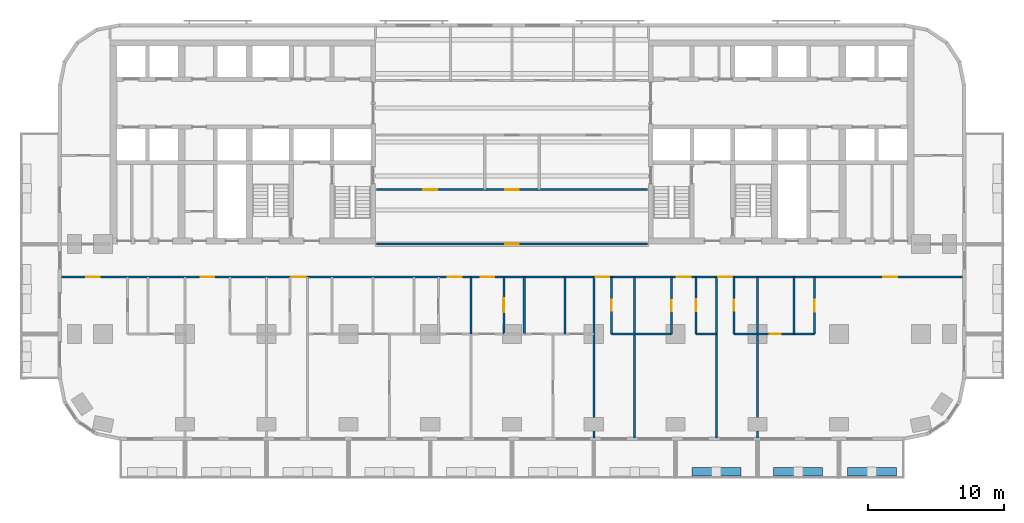
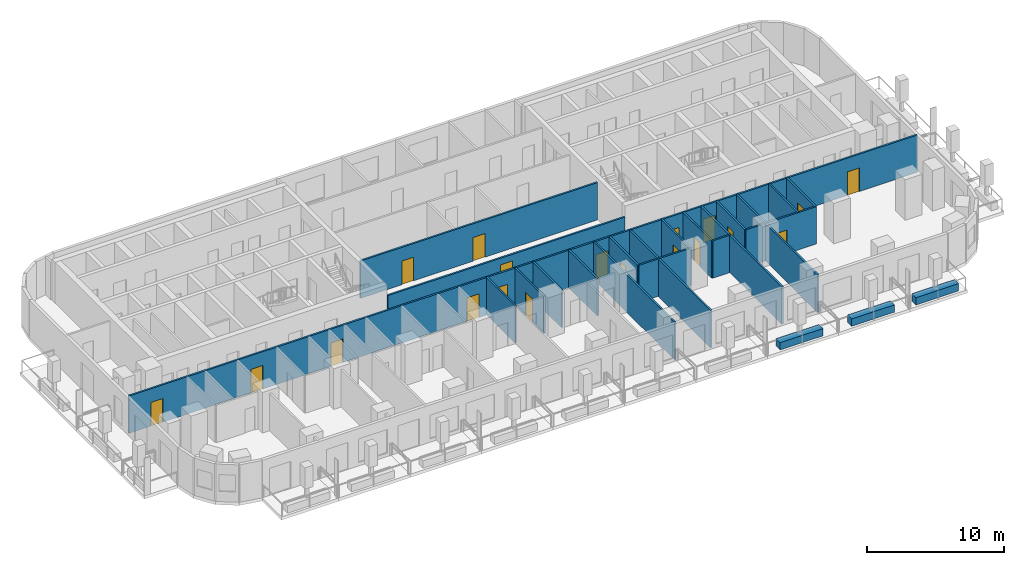
# One storey, part 6 of 14: 23 walls, 19 doors, 19 openings.
"""IFC4 building model written with IfcOpenShell, lengths in metres."""

from ifc_helpers import new_model, si_unit, direction, frame, frame_2d, origin, place, context, subcontext, project, spatial, rectangle, extrude, material, layer, layer_set, type_object, element, fill, save


model = new_model("IFC4")

# Units and contexts
model_context = context("Model", 3, precision=1e-05, world=origin(), true_north=direction((0.0, 1.0)))
body_context = subcontext(model_context, "Body", "Model", "MODEL_VIEW")
ifc_project = project(units=[si_unit("LENGTHUNIT", "METRE"), si_unit("AREAUNIT", "SQUARE_METRE"), si_unit("VOLUMEUNIT", "CUBIC_METRE"), si_unit("PLANEANGLEUNIT", "RADIAN"), si_unit("MASSUNIT", "GRAM", prefix="KILO")], contexts=[model_context])

# Site, building, storey
site_placement = place(None, origin())
site = spatial("IfcSite", under=ifc_project, at=site_placement, CompositionType="ELEMENT")
building_placement = place(site_placement, origin())
building = spatial("IfcBuilding", under=site, at=building_placement, Name="Torana Hotel and Residences", CompositionType="ELEMENT")
storey_placement = place(building_placement, frame((0.0, 0.0, 85.199951171875)))
storey = spatial("IfcBuildingStorey", under=building, at=storey_placement, Name="L21", CompositionType="ELEMENT", Elevation=85.199951171875)

# Wall, opening, door
ifc_material_1 = material(Name="Gypsum plaster")
ifc_layer_1 = layer(ifc_material_1, 0.014892578125, Name="Plaster", Category="finish")
ifc_material_2 = material(Name="Concrete blockwork", Category="masonry")
ifc_layer_2 = layer(ifc_material_2, 0.1201171875, Name="Blockwork", Category="structure")
ifc_layer_3 = layer(ifc_material_1, 0.014892578125, Name="Plaster", Category="finish")
ifc_layer_set_1 = layer_set([ifc_layer_1, ifc_layer_2, ifc_layer_3], Name="FIRE PARTITION 150 BLOCKWORK")
wall_type_1 = type_object("IfcWallType", Name="FIRE PARTITION 150 BLOCKWORK", PredefinedType="PARTITIONING", material=ifc_layer_set_1)
wall_1_placement = place(storey_placement, frame((-0.60009765625, -21.60009765625, 0.0), z_axis=(0.0, 0.0, 1.0), x_axis=(0.0, 1.0, 0.0)))
wall_1 = element("IfcWall", 1, at=wall_1_placement, inside=storey, type_object=wall_type_1, Name="Partition L21", PredefinedType="PARTITIONING", context=body_context, shape_type="SweptSolid", body=[
    extrude(rectangle(XDim=4.2001953125, YDim=0.14990234375, at=frame_2d((2.10009765625, 0.0))), origin(), (0.0, 0.0, 1.0), 3.320068359375),
])
opening_1_placement = place(wall_1_placement, frame((1.6201171875, 0.0, 0.0)))
opening_1 = element("IfcOpeningElement", 2, at=opening_1_placement, cuts=wall_1, Name="Opening L21-68", PredefinedType="OPENING", context=body_context, shape_type="SweptSolid", body=[
    extrude(rectangle(XDim=1.0, YDim=2.10009765625, at=frame_2d((0.5, 1.050048828125))), frame((0.0, 0.0849609375, 0.0), z_axis=(0.0, -1.0, 0.0), x_axis=(1.0, 0.0, 0.0)), (0.0, 0.0, 1.0), 0.169921875),
])
ifc_material_3 = material(Name="Steel S235", Category="steel")
door_type_1 = type_object("IfcDoorType", Name="ENTRY FIRE DOOR D6 1000x2100", OperationType="SINGLE_SWING_LEFT", PredefinedType="DOOR", material=ifc_material_3)
door_1_placement = place(opening_1_placement, frame((0.5, 0.0, 0.0), z_axis=(0.0, 0.0, 1.0), x_axis=(-1.0, 0.0, 0.0)))
door_1 = element("IfcDoor", 3, at=door_1_placement, inside=storey, type_object=door_type_1, Name="Door L21", OperationType="SINGLE_SWING_LEFT", OverallHeight=2.10009765625, OverallWidth=1.0, PredefinedType="DOOR", context=body_context, shape_type="SweptSolid", body=[
    extrude(rectangle(XDim=1.0, YDim=2.10009765625, at=frame_2d((0.0, 1.050048828125))), frame((0.0, -0.02490234375, 0.0), z_axis=(0.0, 1.0, 0.0), x_axis=(-1.0, 0.0, 0.0)), (0.0, 0.0, 1.0), 0.050048828125),
])
fill(opening_1, door_1)

# Wall
wall_2_placement = place(storey_placement, frame((-3.0, -21.60009765625, 0.0), z_axis=(0.0, 0.0, 1.0), x_axis=(0.0, 1.0, 0.0)))
element("IfcWall", 4, at=wall_2_placement, inside=storey, type_object=wall_type_1, Name="Partition L21", PredefinedType="PARTITIONING", context=body_context, shape_type="SweptSolid", body=[
    extrude(rectangle(XDim=4.2001953125, YDim=0.14990234375, at=frame_2d((2.10009765625, 0.0))), origin(), (0.0, 0.0, 1.0), 3.320068359375),
])

# Wall, openings, doors
wall_3_placement = place(storey_placement, frame((-33.1201171875, -17.39990234375, 0.0), z_axis=(0.0, 0.0, 1.0), x_axis=(1.0, 0.0, 0.0)))
wall_3 = element("IfcWall", 5, at=wall_3_placement, inside=storey, type_object=wall_type_1, Name="Partition L21", PredefinedType="PARTITIONING", context=body_context, shape_type="SweptSolid", body=[
    extrude(rectangle(XDim=66.240234375, YDim=0.14990234375, at=frame_2d((33.1201171875, 0.0))), origin(), (0.0, 0.0, 1.0), 3.320068359375),
])
opening_2_placement = place(wall_3_placement, frame((10.27001953125, 0.0, 0.0)))
opening_2 = element("IfcOpeningElement", 6, at=opening_2_placement, cuts=wall_3, Name="Opening L21-40", PredefinedType="OPENING", context=body_context, shape_type="SweptSolid", body=[
    extrude(rectangle(XDim=1.0, YDim=2.10009765625, at=frame_2d((0.5, 1.050048828125))), frame((0.0, 0.0849609375, 0.0), z_axis=(0.0, -1.0, 0.0), x_axis=(1.0, 0.0, 0.0)), (0.0, 0.0, 1.0), 0.169921875),
])
opening_3_placement = place(wall_3_placement, frame((16.969970703125, 0.0, 0.0)))
opening_3 = element("IfcOpeningElement", 7, at=opening_3_placement, cuts=wall_3, Name="Opening L21-41", PredefinedType="OPENING", context=body_context, shape_type="SweptSolid", body=[
    extrude(rectangle(XDim=1.0, YDim=2.10009765625, at=frame_2d((0.5, 1.050048828125))), frame((0.0, 0.0849609375, 0.0), z_axis=(0.0, -1.0, 0.0), x_axis=(1.0, 0.0, 0.0)), (0.0, 0.0, 1.0), 0.169921875),
])
opening_4_placement = place(wall_3_placement, frame((28.419921875, 0.0, 0.0)))
opening_4 = element("IfcOpeningElement", 8, at=opening_4_placement, cuts=wall_3, Name="Opening L21-42", PredefinedType="OPENING", context=body_context, shape_type="SweptSolid", body=[
    extrude(rectangle(XDim=1.0, YDim=2.10009765625, at=frame_2d((0.5, 1.050048828125))), frame((0.0, 0.0849609375, 0.0), z_axis=(0.0, -1.0, 0.0), x_axis=(1.0, 0.0, 0.0)), (0.0, 0.0, 1.0), 0.169921875),
])
opening_5_placement = place(wall_3_placement, frame((30.820068359375, 0.0, 0.0)))
opening_5 = element("IfcOpeningElement", 9, at=opening_5_placement, cuts=wall_3, Name="Opening L21-43", PredefinedType="OPENING", context=body_context, shape_type="SweptSolid", body=[
    extrude(rectangle(XDim=1.0, YDim=2.10009765625, at=frame_2d((0.5, 1.050048828125))), frame((0.0, 0.0849609375, 0.0), z_axis=(0.0, -1.0, 0.0), x_axis=(1.0, 0.0, 0.0)), (0.0, 0.0, 1.0), 0.169921875),
])
opening_6_placement = place(wall_3_placement, frame((39.27001953125, 0.0, 0.0)))
opening_6 = element("IfcOpeningElement", 10, at=opening_6_placement, cuts=wall_3, Name="Opening L21-44", PredefinedType="OPENING", context=body_context, shape_type="SweptSolid", body=[
    extrude(rectangle(XDim=1.0, YDim=2.10009765625, at=frame_2d((0.5, 1.050048828125))), frame((0.0, 0.0849609375, 0.0), z_axis=(0.0, -1.0, 0.0), x_axis=(1.0, 0.0, 0.0)), (0.0, 0.0, 1.0), 0.169921875),
])
opening_7_placement = place(wall_3_placement, frame((45.219970703125, 0.0, 0.0)))
opening_7 = element("IfcOpeningElement", 11, at=opening_7_placement, cuts=wall_3, Name="Opening L21-45", PredefinedType="OPENING", context=body_context, shape_type="SweptSolid", body=[
    extrude(rectangle(XDim=1.0, YDim=2.10009765625, at=frame_2d((0.5, 1.050048828125))), frame((0.0, 0.0849609375, 0.0), z_axis=(0.0, -1.0, 0.0), x_axis=(1.0, 0.0, 0.0)), (0.0, 0.0, 1.0), 0.169921875),
])
opening_8_placement = place(wall_3_placement, frame((48.27001953125, 0.0, 0.0)))
opening_8 = element("IfcOpeningElement", 12, at=opening_8_placement, cuts=wall_3, Name="Opening L21-46", PredefinedType="OPENING", context=body_context, shape_type="SweptSolid", body=[
    extrude(rectangle(XDim=1.0, YDim=2.10009765625, at=frame_2d((0.5, 1.050048828125))), frame((0.0, 0.0849609375, 0.0), z_axis=(0.0, -1.0, 0.0), x_axis=(1.0, 0.0, 0.0)), (0.0, 0.0, 1.0), 0.169921875),
])
opening_9_placement = place(wall_3_placement, frame((1.8701171875, 0.0, 0.0)))
opening_9 = element("IfcOpeningElement", 13, at=opening_9_placement, cuts=wall_3, Name="Opening L21-47", PredefinedType="OPENING", context=body_context, shape_type="SweptSolid", body=[
    extrude(rectangle(XDim=1.0, YDim=2.10009765625, at=frame_2d((0.5, 1.050048828125))), frame((0.0, 0.0849609375, 0.0), z_axis=(0.0, -1.0, 0.0), x_axis=(1.0, 0.0, 0.0)), (0.0, 0.0, 1.0), 0.169921875),
])
opening_10_placement = place(wall_3_placement, frame((60.3701171875, 0.0, 0.0)))
opening_10 = element("IfcOpeningElement", 14, at=opening_10_placement, cuts=wall_3, Name="Opening L21-48", PredefinedType="OPENING", context=body_context, shape_type="SweptSolid", body=[
    extrude(rectangle(XDim=1.0, YDim=2.10009765625, at=frame_2d((0.5, 1.050048828125))), frame((0.0, 0.0849609375, 0.0), z_axis=(0.0, -1.0, 0.0), x_axis=(1.0, 0.0, 0.0)), (0.0, 0.0, 1.0), 0.169921875),
])
door_2_placement = place(opening_2_placement, frame((0.5, 0.0, 0.0), z_axis=(0.0, 0.0, 1.0), x_axis=(-1.0, 0.0, 0.0)))
door_2 = element("IfcDoor", 15, at=door_2_placement, inside=storey, type_object=door_type_1, Name="Door L21", OperationType="SINGLE_SWING_LEFT", OverallHeight=2.10009765625, OverallWidth=1.0, PredefinedType="DOOR", context=body_context, shape_type="SweptSolid", body=[
    extrude(rectangle(XDim=1.0, YDim=2.10009765625, at=frame_2d((0.0, 1.050048828125))), frame((0.0, -0.02490234375, 0.0), z_axis=(0.0, 1.0, 0.0), x_axis=(-1.0, 0.0, 0.0)), (0.0, 0.0, 1.0), 0.050048828125),
])
fill(opening_2, door_2)
door_3_placement = place(opening_3_placement, frame((0.5, 0.0, 0.0), z_axis=(0.0, 0.0, 1.0), x_axis=(-1.0, 0.0, 0.0)))
door_3 = element("IfcDoor", 16, at=door_3_placement, inside=storey, type_object=door_type_1, Name="Door L21", OperationType="SINGLE_SWING_LEFT", OverallHeight=2.10009765625, OverallWidth=1.0, PredefinedType="DOOR", context=body_context, shape_type="SweptSolid", body=[
    extrude(rectangle(XDim=1.0, YDim=2.10009765625, at=frame_2d((0.0, 1.050048828125))), frame((0.0, -0.02490234375, 0.0), z_axis=(0.0, 1.0, 0.0), x_axis=(-1.0, 0.0, 0.0)), (0.0, 0.0, 1.0), 0.050048828125),
])
fill(opening_3, door_3)
door_4_placement = place(opening_4_placement, origin())
door_4 = element("IfcDoor", 17, at=door_4_placement, inside=storey, type_object=door_type_1, Name="Door L21", OperationType="SINGLE_SWING_RIGHT", OverallHeight=2.10009765625, OverallWidth=1.0, PredefinedType="DOOR", context=body_context, shape_type="SweptSolid", body=[
    extrude(rectangle(XDim=1.0, YDim=2.10009765625, at=frame_2d((0.5, 1.050048828125))), frame((0.0, 0.02490234375, 0.0), z_axis=(0.0, -1.0, 0.0), x_axis=(1.0, 0.0, 0.0)), (0.0, 0.0, 1.0), 0.050048828125),
])
fill(opening_4, door_4)
door_5_placement = place(opening_5_placement, origin())
door_5 = element("IfcDoor", 18, at=door_5_placement, inside=storey, type_object=door_type_1, Name="Door L21", OperationType="SINGLE_SWING_RIGHT", OverallHeight=2.10009765625, OverallWidth=1.0, PredefinedType="DOOR", context=body_context, shape_type="SweptSolid", body=[
    extrude(rectangle(XDim=1.0, YDim=2.10009765625, at=frame_2d((0.5, 1.050048828125))), frame((0.0, 0.02490234375, 0.0), z_axis=(0.0, -1.0, 0.0), x_axis=(1.0, 0.0, 0.0)), (0.0, 0.0, 1.0), 0.050048828125),
])
fill(opening_5, door_5)
door_6_placement = place(opening_6_placement, frame((0.5, 0.0, 0.0), z_axis=(0.0, 0.0, 1.0), x_axis=(-1.0, 0.0, 0.0)))
door_6 = element("IfcDoor", 19, at=door_6_placement, inside=storey, type_object=door_type_1, Name="Door L21", OperationType="SINGLE_SWING_LEFT", OverallHeight=2.10009765625, OverallWidth=1.0, PredefinedType="DOOR", context=body_context, shape_type="SweptSolid", body=[
    extrude(rectangle(XDim=1.0, YDim=2.10009765625, at=frame_2d((0.0, 1.050048828125))), frame((0.0, -0.02490234375, 0.0), z_axis=(0.0, 1.0, 0.0), x_axis=(-1.0, 0.0, 0.0)), (0.0, 0.0, 1.0), 0.050048828125),
])
fill(opening_6, door_6)
door_7_placement = place(opening_7_placement, frame((0.5, 0.0, 0.0), z_axis=(0.0, 0.0, 1.0), x_axis=(-1.0, 0.0, 0.0)))
door_7 = element("IfcDoor", 20, at=door_7_placement, inside=storey, type_object=door_type_1, Name="Door L21", OperationType="SINGLE_SWING_LEFT", OverallHeight=2.10009765625, OverallWidth=1.0, PredefinedType="DOOR", context=body_context, shape_type="SweptSolid", body=[
    extrude(rectangle(XDim=1.0, YDim=2.10009765625, at=frame_2d((0.0, 1.050048828125))), frame((0.0, -0.02490234375, 0.0), z_axis=(0.0, 1.0, 0.0), x_axis=(-1.0, 0.0, 0.0)), (0.0, 0.0, 1.0), 0.050048828125),
])
fill(opening_7, door_7)
door_8_placement = place(opening_8_placement, frame((0.5, 0.0, 0.0), z_axis=(0.0, 0.0, 1.0), x_axis=(-1.0, 0.0, 0.0)))
door_8 = element("IfcDoor", 21, at=door_8_placement, inside=storey, type_object=door_type_1, Name="Door L21", OperationType="SINGLE_SWING_LEFT", OverallHeight=2.10009765625, OverallWidth=1.0, PredefinedType="DOOR", context=body_context, shape_type="SweptSolid", body=[
    extrude(rectangle(XDim=1.0, YDim=2.10009765625, at=frame_2d((0.0, 1.050048828125))), frame((0.0, -0.02490234375, 0.0), z_axis=(0.0, 1.0, 0.0), x_axis=(-1.0, 0.0, 0.0)), (0.0, 0.0, 1.0), 0.050048828125),
])
fill(opening_8, door_8)
door_9_placement = place(opening_9_placement, frame((0.5, 0.0, 0.0), z_axis=(0.0, 0.0, 1.0), x_axis=(-1.0, 0.0, 0.0)))
door_9 = element("IfcDoor", 22, at=door_9_placement, inside=storey, type_object=door_type_1, Name="Door L21", OperationType="SINGLE_SWING_LEFT", OverallHeight=2.10009765625, OverallWidth=1.0, PredefinedType="DOOR", context=body_context, shape_type="SweptSolid", body=[
    extrude(rectangle(XDim=1.0, YDim=2.10009765625, at=frame_2d((0.0, 1.050048828125))), frame((0.0, -0.02490234375, 0.0), z_axis=(0.0, 1.0, 0.0), x_axis=(-1.0, 0.0, 0.0)), (0.0, 0.0, 1.0), 0.050048828125),
])
fill(opening_9, door_9)
door_10_placement = place(opening_10_placement, frame((0.5, 0.0, 0.0), z_axis=(0.0, 0.0, 1.0), x_axis=(-1.0, 0.0, 0.0)))
door_10 = element("IfcDoor", 23, at=door_10_placement, inside=storey, type_object=door_type_1, Name="Door L21", OperationType="SINGLE_SWING_LEFT", OverallHeight=2.10009765625, OverallWidth=1.0, PredefinedType="DOOR", context=body_context, shape_type="SweptSolid", body=[
    extrude(rectangle(XDim=1.0, YDim=2.10009765625, at=frame_2d((0.0, 1.050048828125))), frame((0.0, -0.02490234375, 0.0), z_axis=(0.0, 1.0, 0.0), x_axis=(-1.0, 0.0, 0.0)), (0.0, 0.0, 1.0), 0.050048828125),
])
fill(opening_10, door_10)

# Wall, opening, door
wall_4_placement = place(storey_placement, frame((-9.949951171875, -15.0, 0.0), z_axis=(0.0, 0.0, 1.0), x_axis=(1.0, 0.0, 0.0)))
wall_4 = element("IfcWall", 24, at=wall_4_placement, inside=storey, type_object=wall_type_1, Name="Partition L21", PredefinedType="PARTITIONING", context=body_context, shape_type="SweptSolid", body=[
    extrude(rectangle(XDim=19.89990234375, YDim=0.14990234375, at=frame_2d((9.949951171875, 0.0))), origin(), (0.0, 0.0, 1.0), 2.68408203125),
])
opening_11_placement = place(wall_4_placement, frame((9.449951171875, 0.0, 0.0)))
opening_11 = element("IfcOpeningElement", 25, at=opening_11_placement, cuts=wall_4, Name="Opening L21-39", PredefinedType="OPENING", context=body_context, shape_type="SweptSolid", body=[
    extrude(rectangle(XDim=1.0, YDim=2.10009765625, at=frame_2d((0.5, 1.050048828125))), frame((0.0, 0.0849609375, 0.0), z_axis=(0.0, -1.0, 0.0), x_axis=(1.0, 0.0, 0.0)), (0.0, 0.0, 1.0), 0.169921875),
])
door_11_placement = place(opening_11_placement, origin())
door_11 = element("IfcDoor", 26, at=door_11_placement, inside=storey, type_object=door_type_1, Name="Door L21", OperationType="SINGLE_SWING_RIGHT", OverallHeight=2.10009765625, OverallWidth=1.0, PredefinedType="DOOR", context=body_context, shape_type="SweptSolid", body=[
    extrude(rectangle(XDim=1.0, YDim=2.10009765625, at=frame_2d((0.5, 1.050048828125))), frame((0.0, 0.02490234375, 0.0), z_axis=(0.0, -1.0, 0.0), x_axis=(1.0, 0.0, 0.0)), (0.0, 0.0, 1.0), 0.050048828125),
])
fill(opening_11, door_11)

# Wall, openings, doors
wall_5_placement = place(storey_placement, frame((-9.949951171875, -11.0, 0.0), z_axis=(0.0, 0.0, 1.0), x_axis=(1.0, 0.0, 0.0)))
wall_5 = element("IfcWall", 27, at=wall_5_placement, inside=storey, type_object=wall_type_1, Name="Partition L21", PredefinedType="PARTITIONING", context=body_context, shape_type="SweptSolid", body=[
    extrude(rectangle(XDim=19.89990234375, YDim=0.14990234375, at=frame_2d((9.949951171875, 0.0))), origin(), (0.0, 0.0, 1.0), 3.320068359375),
])
opening_12_placement = place(wall_5_placement, frame((9.449951171875, 0.0, 0.0)))
opening_12 = element("IfcOpeningElement", 28, at=opening_12_placement, cuts=wall_5, Name="Opening L21-51", PredefinedType="OPENING", context=body_context, shape_type="SweptSolid", body=[
    extrude(rectangle(XDim=1.0, YDim=2.10009765625, at=frame_2d((0.5, 1.050048828125))), frame((0.0, 0.0849609375, 0.0), z_axis=(0.0, -1.0, 0.0), x_axis=(1.0, 0.0, 0.0)), (0.0, 0.0, 1.0), 0.169921875),
])
opening_13_placement = place(wall_5_placement, frame((3.449951171875, 0.0, 0.0)))
opening_13 = element("IfcOpeningElement", 29, at=opening_13_placement, cuts=wall_5, Name="Opening L21-52", PredefinedType="OPENING", context=body_context, shape_type="SweptSolid", body=[
    extrude(rectangle(XDim=1.0, YDim=2.10009765625, at=frame_2d((0.5, 1.050048828125))), frame((0.0, 0.0849609375, 0.0), z_axis=(0.0, -1.0, 0.0), x_axis=(1.0, 0.0, 0.0)), (0.0, 0.0, 1.0), 0.169921875),
])
door_12_placement = place(opening_12_placement, origin())
door_12 = element("IfcDoor", 30, at=door_12_placement, inside=storey, type_object=door_type_1, Name="Door L21", OperationType="SINGLE_SWING_RIGHT", OverallHeight=2.10009765625, OverallWidth=1.0, PredefinedType="DOOR", context=body_context, shape_type="SweptSolid", body=[
    extrude(rectangle(XDim=1.0, YDim=2.10009765625, at=frame_2d((0.5, 1.050048828125))), frame((0.0, 0.02490234375, 0.0), z_axis=(0.0, -1.0, 0.0), x_axis=(1.0, 0.0, 0.0)), (0.0, 0.0, 1.0), 0.050048828125),
])
fill(opening_12, door_12)
door_13_placement = place(opening_13_placement, origin())
door_13 = element("IfcDoor", 31, at=door_13_placement, inside=storey, type_object=door_type_1, Name="Door L21", OperationType="SINGLE_SWING_RIGHT", OverallHeight=2.10009765625, OverallWidth=1.0, PredefinedType="DOOR", context=body_context, shape_type="SweptSolid", body=[
    extrude(rectangle(XDim=1.0, YDim=2.10009765625, at=frame_2d((0.5, 1.050048828125))), frame((0.0, 0.02490234375, 0.0), z_axis=(0.0, -1.0, 0.0), x_axis=(1.0, 0.0, 0.0)), (0.0, 0.0, 1.0), 0.050048828125),
])
fill(opening_13, door_13)

# Wall, opening, door
ifc_material_4 = material(Name="Gypsum plasterboard")
ifc_layer_4 = layer(ifc_material_4, 0.012451171875, Name="Plasterboard", Category="finish")
ifc_layer_5 = layer(ifc_material_4, 0.012451171875, Name="Plasterboard", Category="finish")
ifc_material_5 = material(Name="Steel S280GD", Category="steel")
ifc_layer_6 = layer(ifc_material_5, 0.10009765625, Name="Steel studs with mineral wool", Category="insulation")
ifc_layer_7 = layer(ifc_material_4, 0.012451171875, Name="Plasterboard", Category="finish")
ifc_layer_8 = layer(ifc_material_4, 0.012451171875, Name="Plasterboard", Category="finish")
ifc_layer_set_2 = layer_set([ifc_layer_4, ifc_layer_5, ifc_layer_6, ifc_layer_7, ifc_layer_8], Name="PARTITION 150 PLASTERBOARD")
wall_type_2 = type_object("IfcWallType", Name="PARTITION 150 PLASTERBOARD", PredefinedType="PARTITIONING", material=ifc_layer_set_2)
wall_6_placement = place(storey_placement, frame((22.199951171875, -21.60009765625, 0.0), z_axis=(0.0, 0.0, 1.0), x_axis=(0.0, 1.0, 0.0)))
wall_6 = element("IfcWall", 32, at=wall_6_placement, inside=storey, type_object=wall_type_2, Name="Partition L21", PredefinedType="PARTITIONING", context=body_context, shape_type="SweptSolid", body=[
    extrude(rectangle(XDim=4.2001953125, YDim=0.14990234375, at=frame_2d((2.10009765625, 0.0))), origin(), (0.0, 0.0, 1.0), 3.320068359375),
])
opening_14_placement = place(wall_6_placement, frame((1.6298828125, 0.0, 0.0)))
opening_14 = element("IfcOpeningElement", 33, at=opening_14_placement, cuts=wall_6, Name="Opening L21-80", PredefinedType="OPENING", context=body_context, shape_type="SweptSolid", body=[
    extrude(rectangle(XDim=0.89990234375, YDim=2.10009765625, at=frame_2d((0.449951171875, 1.050048828125))), frame((0.0, 0.0849609375, 0.0), z_axis=(0.0, -1.0, 0.0), x_axis=(1.0, 0.0, 0.0)), (0.0, 0.0, 1.0), 0.169921875),
])
ifc_material_6 = material(Name="Timber door, oiled ash", Category="wood")
door_type_2 = type_object("IfcDoorType", Name="ROOM DOOR D7 900x2100", OperationType="SINGLE_SWING_LEFT", PredefinedType="DOOR", material=ifc_material_6)
door_14_placement = place(opening_14_placement, origin())
door_14 = element("IfcDoor", 34, at=door_14_placement, inside=storey, type_object=door_type_2, Name="Door L21", OperationType="SINGLE_SWING_RIGHT", OverallHeight=2.10009765625, OverallWidth=0.89990234375, PredefinedType="DOOR", context=body_context, shape_type="SweptSolid", body=[
    extrude(rectangle(XDim=0.89990234375, YDim=2.10009765625, at=frame_2d((0.449951171875, 1.050048828125))), frame((0.0, 0.02490234375, 0.0), z_axis=(0.0, -1.0, 0.0), x_axis=(1.0, 0.0, 0.0)), (0.0, 0.0, 1.0), 0.050048828125),
])
fill(opening_14, door_14)

# Walls
wall_7_placement = place(storey_placement, frame((20.699951171875, -21.60009765625, 0.0), z_axis=(0.0, 0.0, 1.0), x_axis=(0.0, 1.0, 0.0)))
element("IfcWall", 35, at=wall_7_placement, inside=storey, type_object=wall_type_2, Name="Partition L21", PredefinedType="PARTITIONING", context=body_context, shape_type="SweptSolid", body=[
    extrude(rectangle(XDim=4.2001953125, YDim=0.14990234375, at=frame_2d((2.10009765625, 0.0))), origin(), (0.0, 0.0, 1.0), 3.320068359375),
])
wall_8_placement = place(storey_placement, frame((18.0, -29.219970703125, 0.0), z_axis=(0.0, 0.0, 1.0), x_axis=(0.0, 1.0, 0.0)))
element("IfcWall", 36, at=wall_8_placement, inside=storey, type_object=wall_type_2, Name="Partition L21", PredefinedType="PARTITIONING", context=body_context, shape_type="SweptSolid", body=[
    extrude(rectangle(XDim=11.820068359375, YDim=0.14990234375, at=frame_2d((5.91015625, 0.0))), origin(), (0.0, 0.0, 1.0), 3.320068359375),
])

# Wall, opening, door
wall_9_placement = place(storey_placement, frame((16.300048828125, -21.60009765625, 0.0), z_axis=(0.0, 0.0, 1.0), x_axis=(0.0, 1.0, 0.0)))
wall_9 = element("IfcWall", 37, at=wall_9_placement, inside=storey, type_object=wall_type_2, Name="Partition L21", PredefinedType="PARTITIONING", context=body_context, shape_type="SweptSolid", body=[
    extrude(rectangle(XDim=4.2001953125, YDim=0.14990234375, at=frame_2d((2.10009765625, 0.0))), origin(), (0.0, 0.0, 1.0), 3.320068359375),
])
opening_15_placement = place(wall_9_placement, frame((1.719970703125, 0.0, 0.0)))
opening_15 = element("IfcOpeningElement", 38, at=opening_15_placement, cuts=wall_9, Name="Opening L21-76", PredefinedType="OPENING", context=body_context, shape_type="SweptSolid", body=[
    extrude(rectangle(XDim=0.800048828125, YDim=2.10009765625, at=frame_2d((0.39990234375, 1.050048828125))), frame((0.0, 0.0849609375, 0.0), z_axis=(0.0, -1.0, 0.0), x_axis=(1.0, 0.0, 0.0)), (0.0, 0.0, 1.0), 0.169921875),
])
ifc_material_7 = material(Name="Timber door, painted", Category="wood")
door_type_3 = type_object("IfcDoorType", Name="BATH DOOR D13 800x2100", OperationType="SINGLE_SWING_LEFT", PredefinedType="DOOR", material=ifc_material_7)
door_15_placement = place(opening_15_placement, origin())
door_15 = element("IfcDoor", 39, at=door_15_placement, inside=storey, type_object=door_type_3, Name="Door L21", OperationType="SINGLE_SWING_RIGHT", OverallHeight=2.10009765625, OverallWidth=0.800048828125, PredefinedType="DOOR", context=body_context, shape_type="SweptSolid", body=[
    extrude(rectangle(XDim=0.800048828125, YDim=2.10009765625, at=frame_2d((0.39990234375, 1.050048828125))), frame((0.0, 0.02490234375, 0.0), z_axis=(0.0, -1.0, 0.0), x_axis=(1.0, 0.0, 0.0)), (0.0, 0.0, 1.0), 0.050048828125),
])
fill(opening_15, door_15)

# Wall
wall_10_placement = place(storey_placement, frame((15.0, -29.219970703125, 0.0), z_axis=(0.0, 0.0, 1.0), x_axis=(0.0, 1.0, 0.0)))
element("IfcWall", 40, at=wall_10_placement, inside=storey, type_object=wall_type_2, Name="Partition L21", PredefinedType="PARTITIONING", context=body_context, shape_type="SweptSolid", body=[
    extrude(rectangle(XDim=11.820068359375, YDim=0.14990234375, at=frame_2d((5.91015625, 0.0))), origin(), (0.0, 0.0, 1.0), 3.320068359375),
])

# Wall, opening, door
wall_11_placement = place(storey_placement, frame((13.5, -21.60009765625, 0.0), z_axis=(0.0, 0.0, 1.0), x_axis=(0.0, 1.0, 0.0)))
wall_11 = element("IfcWall", 41, at=wall_11_placement, inside=storey, type_object=wall_type_2, Name="Partition L21", PredefinedType="PARTITIONING", context=body_context, shape_type="SweptSolid", body=[
    extrude(rectangle(XDim=4.2001953125, YDim=0.14990234375, at=frame_2d((2.10009765625, 0.0))), origin(), (0.0, 0.0, 1.0), 3.320068359375),
])
opening_16_placement = place(wall_11_placement, frame((1.669921875, 0.0, 0.0)))
opening_16 = element("IfcOpeningElement", 42, at=opening_16_placement, cuts=wall_11, Name="Opening L21-75", PredefinedType="OPENING", context=body_context, shape_type="SweptSolid", body=[
    extrude(rectangle(XDim=0.89990234375, YDim=2.10009765625, at=frame_2d((0.449951171875, 1.050048828125))), frame((0.0, 0.0849609375, 0.0), z_axis=(0.0, -1.0, 0.0), x_axis=(1.0, 0.0, 0.0)), (0.0, 0.0, 1.0), 0.169921875),
])
door_16_placement = place(opening_16_placement, origin())
door_16 = element("IfcDoor", 43, at=door_16_placement, inside=storey, type_object=door_type_2, Name="Door L21", OperationType="SINGLE_SWING_RIGHT", OverallHeight=2.10009765625, OverallWidth=0.89990234375, PredefinedType="DOOR", context=body_context, shape_type="SweptSolid", body=[
    extrude(rectangle(XDim=0.89990234375, YDim=2.10009765625, at=frame_2d((0.449951171875, 1.050048828125))), frame((0.0, 0.02490234375, 0.0), z_axis=(0.0, -1.0, 0.0), x_axis=(1.0, 0.0, 0.0)), (0.0, 0.0, 1.0), 0.050048828125),
])
fill(opening_16, door_16)

wall_12_placement = place(storey_placement, frame((11.699951171875, -21.60009765625, 0.0), z_axis=(0.0, 0.0, 1.0), x_axis=(0.0, 1.0, 0.0)))
wall_12 = element("IfcWall", 44, at=wall_12_placement, inside=storey, type_object=wall_type_2, Name="Partition L21", PredefinedType="PARTITIONING", context=body_context, shape_type="SweptSolid", body=[
    extrude(rectangle(XDim=4.2001953125, YDim=0.14990234375, at=frame_2d((2.10009765625, 0.0))), origin(), (0.0, 0.0, 1.0), 3.320068359375),
])
opening_17_placement = place(wall_12_placement, frame((1.679931640625, 0.0, 0.0)))
opening_17 = element("IfcOpeningElement", 45, at=opening_17_placement, cuts=wall_12, Name="Opening L21-74", PredefinedType="OPENING", context=body_context, shape_type="SweptSolid", body=[
    extrude(rectangle(XDim=0.800048828125, YDim=2.10009765625, at=frame_2d((0.39990234375, 1.050048828125))), frame((0.0, 0.0849609375, 0.0), z_axis=(0.0, -1.0, 0.0), x_axis=(1.0, 0.0, 0.0)), (0.0, 0.0, 1.0), 0.169921875),
])
door_17_placement = place(opening_17_placement, origin())
door_17 = element("IfcDoor", 46, at=door_17_placement, inside=storey, type_object=door_type_3, Name="Door L21", OperationType="SINGLE_SWING_RIGHT", OverallHeight=2.10009765625, OverallWidth=0.800048828125, PredefinedType="DOOR", context=body_context, shape_type="SweptSolid", body=[
    extrude(rectangle(XDim=0.800048828125, YDim=2.10009765625, at=frame_2d((0.39990234375, 1.050048828125))), frame((0.0, 0.02490234375, 0.0), z_axis=(0.0, -1.0, 0.0), x_axis=(1.0, 0.0, 0.0)), (0.0, 0.0, 1.0), 0.050048828125),
])
fill(opening_17, door_17)

# Wall
wall_13_placement = place(storey_placement, frame((9.0, -29.219970703125, 0.0), z_axis=(0.0, 0.0, 1.0), x_axis=(0.0, 1.0, 0.0)))
element("IfcWall", 47, at=wall_13_placement, inside=storey, type_object=wall_type_2, Name="Partition L21", PredefinedType="PARTITIONING", context=body_context, shape_type="SweptSolid", body=[
    extrude(rectangle(XDim=11.820068359375, YDim=0.14990234375, at=frame_2d((5.91015625, 0.0))), origin(), (0.0, 0.0, 1.0), 3.320068359375),
])

# Wall, opening, door
wall_14_placement = place(storey_placement, frame((7.300048828125, -21.60009765625, 0.0), z_axis=(0.0, 0.0, 1.0), x_axis=(0.0, 1.0, 0.0)))
wall_14 = element("IfcWall", 48, at=wall_14_placement, inside=storey, type_object=wall_type_2, Name="Partition L21", PredefinedType="PARTITIONING", context=body_context, shape_type="SweptSolid", body=[
    extrude(rectangle(XDim=4.2001953125, YDim=0.14990234375, at=frame_2d((2.10009765625, 0.0))), origin(), (0.0, 0.0, 1.0), 3.320068359375),
])
opening_18_placement = place(wall_14_placement, frame((1.719970703125, 0.0, 0.0)))
opening_18 = element("IfcOpeningElement", 49, at=opening_18_placement, cuts=wall_14, Name="Opening L21-73", PredefinedType="OPENING", context=body_context, shape_type="SweptSolid", body=[
    extrude(rectangle(XDim=0.800048828125, YDim=2.10009765625, at=frame_2d((0.39990234375, 1.050048828125))), frame((0.0, 0.0849609375, 0.0), z_axis=(0.0, -1.0, 0.0), x_axis=(1.0, 0.0, 0.0)), (0.0, 0.0, 1.0), 0.169921875),
])
door_18_placement = place(opening_18_placement, origin())
door_18 = element("IfcDoor", 50, at=door_18_placement, inside=storey, type_object=door_type_3, Name="Door L21", OperationType="SINGLE_SWING_RIGHT", OverallHeight=2.10009765625, OverallWidth=0.800048828125, PredefinedType="DOOR", context=body_context, shape_type="SweptSolid", body=[
    extrude(rectangle(XDim=0.800048828125, YDim=2.10009765625, at=frame_2d((0.39990234375, 1.050048828125))), frame((0.0, 0.02490234375, 0.0), z_axis=(0.0, -1.0, 0.0), x_axis=(1.0, 0.0, 0.0)), (0.0, 0.0, 1.0), 0.050048828125),
])
fill(opening_18, door_18)

# Walls
wall_15_placement = place(storey_placement, frame((6.0, -29.219970703125, 0.0), z_axis=(0.0, 0.0, 1.0), x_axis=(0.0, 1.0, 0.0)))
element("IfcWall", 51, at=wall_15_placement, inside=storey, type_object=wall_type_2, Name="Partition L21", PredefinedType="PARTITIONING", context=body_context, shape_type="SweptSolid", body=[
    extrude(rectangle(XDim=11.820068359375, YDim=0.14990234375, at=frame_2d((5.91015625, 0.0))), origin(), (0.0, 0.0, 1.0), 3.320068359375),
])
wall_16_placement = place(storey_placement, frame((3.89990234375, -21.60009765625, 0.0), z_axis=(0.0, 0.0, 1.0), x_axis=(0.0, 1.0, 0.0)))
element("IfcWall", 52, at=wall_16_placement, inside=storey, type_object=wall_type_2, Name="Partition L21", PredefinedType="PARTITIONING", context=body_context, shape_type="SweptSolid", body=[
    extrude(rectangle(XDim=4.2001953125, YDim=0.14990234375, at=frame_2d((2.10009765625, 0.0))), origin(), (0.0, 0.0, 1.0), 3.320068359375),
])
wall_17_placement = place(storey_placement, frame((7.300048828125, -21.60009765625, 0.0), z_axis=(0.0, 0.0, 1.0), x_axis=(1.0, 0.0, 0.0)))
element("IfcWall", 53, at=wall_17_placement, inside=storey, type_object=wall_type_2, Name="Partition L21", PredefinedType="PARTITIONING", context=body_context, shape_type="SweptSolid", body=[
    extrude(rectangle(XDim=4.39990234375, YDim=0.14990234375, at=frame_2d((2.199951171875, 0.0))), origin(), (0.0, 0.0, 1.0), 3.320068359375),
])
wall_18_placement = place(storey_placement, frame((13.5, -21.60009765625, 0.0), z_axis=(0.0, 0.0, 1.0), x_axis=(1.0, 0.0, 0.0)))
element("IfcWall", 54, at=wall_18_placement, inside=storey, type_object=wall_type_2, Name="Partition L21", PredefinedType="PARTITIONING", context=body_context, shape_type="SweptSolid", body=[
    extrude(rectangle(XDim=1.5, YDim=0.14990234375, at=frame_2d((0.75, 0.0))), origin(), (0.0, 0.0, 1.0), 3.320068359375),
])

# Wall, opening, door
wall_19_placement = place(storey_placement, frame((16.300048828125, -21.60009765625, 0.0), z_axis=(0.0, 0.0, 1.0), x_axis=(1.0, 0.0, 0.0)))
wall_19 = element("IfcWall", 55, at=wall_19_placement, inside=storey, type_object=wall_type_2, Name="Partition L21", PredefinedType="PARTITIONING", context=body_context, shape_type="SweptSolid", body=[
    extrude(rectangle(XDim=5.89990234375, YDim=0.14990234375, at=frame_2d((2.949951171875, 0.0))), origin(), (0.0, 0.0, 1.0), 3.320068359375),
])
opening_19_placement = place(wall_19_placement, frame((2.6298828125, 0.0, 0.0)))
opening_19 = element("IfcOpeningElement", 56, at=opening_19_placement, cuts=wall_19, Name="Opening L21-79", PredefinedType="OPENING", context=body_context, shape_type="SweptSolid", body=[
    extrude(rectangle(XDim=0.800048828125, YDim=2.10009765625, at=frame_2d((0.39990234375, 1.050048828125))), frame((0.0, 0.0849609375, 0.0), z_axis=(0.0, -1.0, 0.0), x_axis=(1.0, 0.0, 0.0)), (0.0, 0.0, 1.0), 0.169921875),
])
door_19_placement = place(opening_19_placement, origin())
door_19 = element("IfcDoor", 57, at=door_19_placement, inside=storey, type_object=door_type_3, Name="Door L21", OperationType="SINGLE_SWING_RIGHT", OverallHeight=2.10009765625, OverallWidth=0.800048828125, PredefinedType="DOOR", context=body_context, shape_type="SweptSolid", body=[
    extrude(rectangle(XDim=0.800048828125, YDim=2.10009765625, at=frame_2d((0.39990234375, 1.050048828125))), frame((0.0, 0.02490234375, 0.0), z_axis=(0.0, -1.0, 0.0), x_axis=(1.0, 0.0, 0.0)), (0.0, 0.0, 1.0), 0.050048828125),
])
fill(opening_19, door_19)

# Walls
ifc_material_8 = material(Name="Concrete C40/50 precast", Category="concrete")
ifc_layer_9 = layer(ifc_material_8, 0.10009765625, Name="Planter shell", Category="structure")
ifc_material_9 = material(Name="Root resistant membrane")
ifc_layer_10 = layer(ifc_material_9, 0.00390625, Name="Waterproofing membrane", Category="membrane")
ifc_material_10 = material(Name="Drainage board with filter fleece")
ifc_layer_11 = layer(ifc_material_10, 0.02001953125, Name="Drainage board", Category="drainage")
ifc_material_11 = material(Name="Growing medium")
ifc_layer_12 = layer(ifc_material_11, 0.47607421875, Name="Planting substrate", Category="soil")
ifc_layer_set_3 = layer_set([ifc_layer_9, ifc_layer_10, ifc_layer_11, ifc_layer_12], Name="PL1 BALCONY PLANTER 600")
wall_type_3 = type_object("IfcWallType", Name="PL1 BALCONY PLANTER 600", PredefinedType="USERDEFINED", material=ifc_layer_set_3)
for number, where, z_axis, x_axis, name in (
    (58, (16.800048828125, -31.699951171875, 0.0), (0.0, 0.0, 1.0), (-1.0, 0.0, 0.0), "Planter 08"),
    (59, (22.800048828125, -31.699951171875, 0.0), (0.0, 0.0, 1.0), (-1.0, 0.0, 0.0), "Planter 09"),
):
    element("IfcWall", number, at=place(storey_placement, frame(where, z_axis=z_axis, x_axis=x_axis)), inside=storey, type_object=wall_type_3, Name=name, ObjectType="PLANTER", PredefinedType="USERDEFINED", context=body_context, shape_type="SweptSolid", body=[
        extrude(rectangle(XDim=3.60009765625, YDim=0.60009765625, at=frame_2d((1.800048828125, 0.0))), origin(), (0.0, 0.0, 1.0), 0.650146484375),
    ])
wall_20_placement = place(storey_placement, frame((28.199951171875, -31.699951171875, 0.0), z_axis=(0.0, 0.0, 1.0), x_axis=(-1.0, 0.0, 0.0)))
element("IfcWall", 60, at=wall_20_placement, inside=storey, type_object=wall_type_3, Name="Planter 10", ObjectType="PLANTER", PredefinedType="USERDEFINED", context=body_context, shape_type="SweptSolid", body=[
    extrude(rectangle(XDim=3.599853515625, YDim=0.60009765625, at=frame_2d((1.7998046875, 0.0))), origin(), (0.0, 0.0, 1.0), 0.650146484375),
])
ifc_material_12 = material(Name="Ceramic tile on adhesive")
ifc_layer_13 = layer(ifc_material_12, 0.010009765625, Name="Wall tile", Category="finish")
ifc_material_13 = material(Name="Cement render")
ifc_layer_14 = layer(ifc_material_13, 0.010009765625, Name="Render", Category="finish")
ifc_layer_15 = layer(ifc_material_2, 0.110107421875, Name="Blockwork", Category="structure")
ifc_layer_16 = layer(ifc_material_13, 0.010009765625, Name="Render", Category="finish")
ifc_layer_17 = layer(ifc_material_12, 0.010009765625, Name="Wall tile", Category="finish")
ifc_layer_set_4 = layer_set([ifc_layer_13, ifc_layer_14, ifc_layer_15, ifc_layer_16, ifc_layer_17], Name="WC PARTITION 150")
wall_type_4 = type_object("IfcWallType", Name="WC PARTITION 150", PredefinedType="PLUMBINGWALL", material=ifc_layer_set_4)
wall_21_placement = place(storey_placement, frame((0.89990234375, -21.60009765625, 0.0), z_axis=(0.0, 0.0, 1.0), x_axis=(0.0, 1.0, 0.0)))
element("IfcWall", 61, at=wall_21_placement, inside=storey, type_object=wall_type_4, Name="Partition L21", PredefinedType="PLUMBINGWALL", context=body_context, shape_type="SweptSolid", body=[
    extrude(rectangle(XDim=4.2001953125, YDim=0.14990234375, at=frame_2d((2.10009765625, 0.0))), origin(), (0.0, 0.0, 1.0), 3.320068359375),
])

save(model, "model.ifc")
